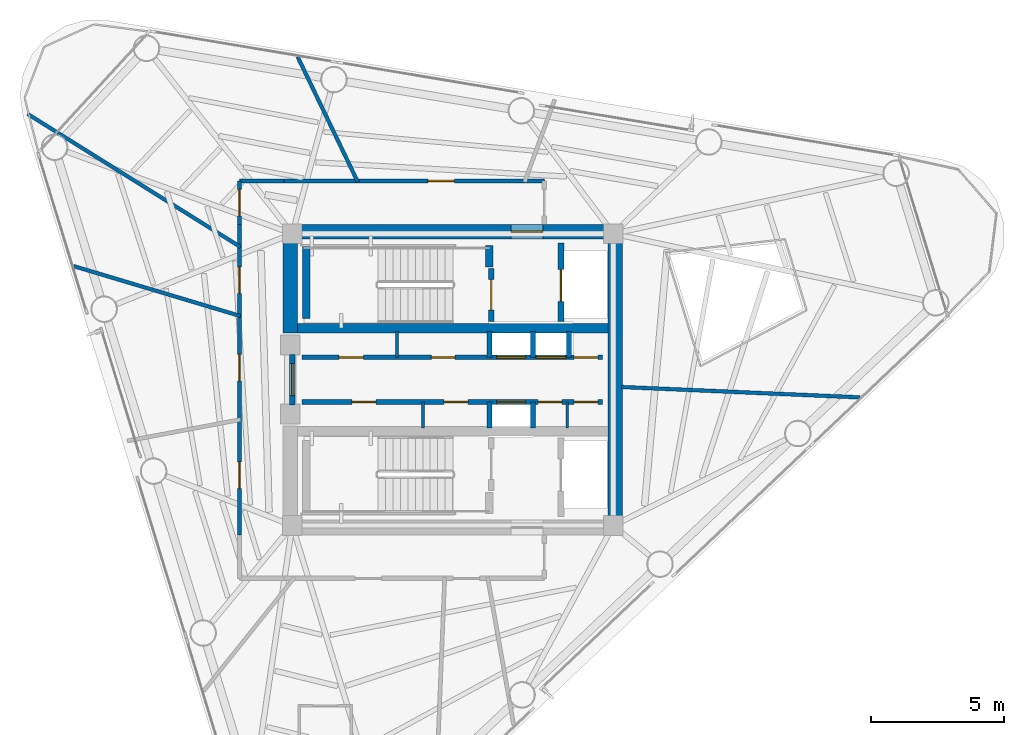
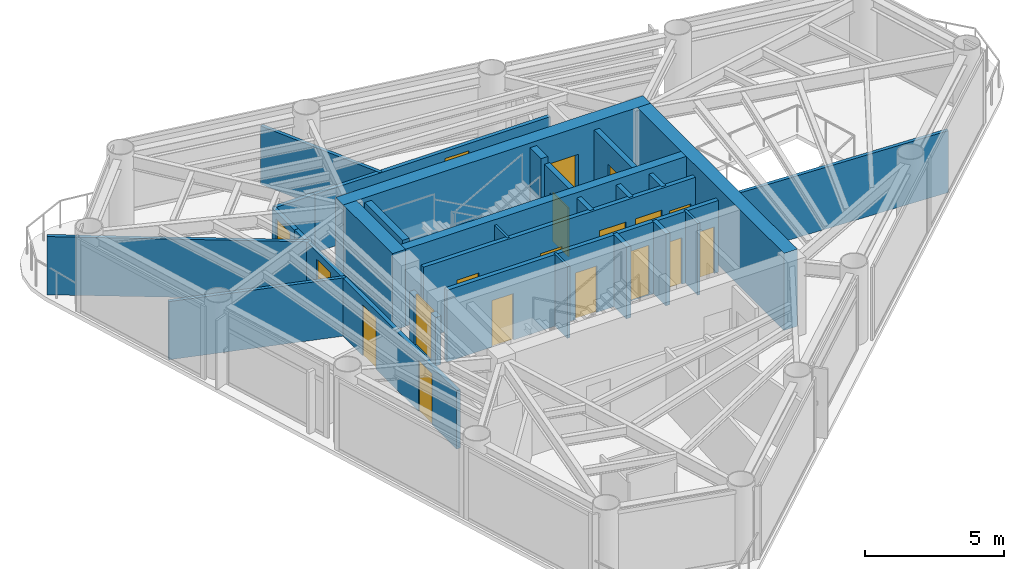
# One storey, part 6 of 9: 27 walls, 19 doors, 19 openings.
"""IFC4 building model written with IfcOpenShell, lengths in metres."""

from ifc_helpers import new_model, si_unit, direction, frame, frame_2d, origin, place, context, subcontext, project, spatial, rectangle, extrude, material, layer, layer_set, type_object, element, fill, save


model = new_model("IFC4")

# Units and contexts
model_context = context("Model", 3, precision=1e-05, world=origin(), true_north=direction((0.0, 1.0)))
body_context = subcontext(model_context, "Body", "Model", "MODEL_VIEW")
ifc_project = project(units=[si_unit("LENGTHUNIT", "METRE"), si_unit("AREAUNIT", "SQUARE_METRE"), si_unit("VOLUMEUNIT", "CUBIC_METRE"), si_unit("PLANEANGLEUNIT", "RADIAN"), si_unit("MASSUNIT", "GRAM", prefix="KILO")], contexts=[model_context])

# Site, building, storey
site_placement = place(None, origin())
site = spatial("IfcSite", under=ifc_project, at=site_placement, CompositionType="ELEMENT")
building_placement = place(site_placement, origin())
building = spatial("IfcBuilding", under=site, at=building_placement, Name="Yunling Apex Tower", CompositionType="ELEMENT")
storey_placement = place(building_placement, frame((0.0, 0.0, 249.050048828125)))
storey = spatial("IfcBuildingStorey", under=building, at=storey_placement, Name="L61", CompositionType="ELEMENT", Elevation=249.050048828125)

# Wall, opening, door
ifc_material_1 = material(Name="Concrete C40", Category="concrete")
ifc_layer_1 = layer(ifc_material_1, 0.550048828125)
ifc_layer_set_1 = layer_set([ifc_layer_1], Name="Concrete C40")
wall_type_1 = type_object("IfcWallType", Name="WL-COR-3", PredefinedType="SHEAR", material=ifc_layer_set_1)
wall_1_placement = place(storey_placement, frame((-6.39990234375, 5.574951171875, 0.0), z_axis=(0.0, 0.0, 1.0), x_axis=(1.0, 0.0, 0.0)))
wall_1 = element("IfcWall", 1, at=wall_1_placement, inside=storey, type_object=wall_type_1, Name="L61 North Core Shear Wall", PredefinedType="SHEAR", context=body_context, shape_type="SweptSolid", body=[
    extrude(rectangle(XDim=12.7998046875, YDim=0.550048828125, at=frame_2d((6.39990234375, 0.0))), origin(), (0.0, 0.0, 1.0), 3.39990234375),
])
opening_1_placement = place(wall_1_placement, frame((8.60009765625, 0.0, 0.0)))
opening_1 = element("IfcOpeningElement", 2, at=opening_1_placement, cuts=wall_1, Name="Opening DR-FFL-1", PredefinedType="OPENING", context=body_context, shape_type="SweptSolid", body=[
    extrude(rectangle(XDim=1.199951171875, YDim=2.199951171875, at=frame_2d((0.60009765625, 1.10009765625))), frame((0.0, 0.28515625, 0.0), z_axis=(0.0, -1.0, 0.0), x_axis=(1.0, 0.0, 0.0)), (0.0, 0.0, 1.0), 0.570068359375),
])
ifc_material_2 = material(Name="Steel Q355B", Category="steel")
door_type_1 = type_object("IfcDoorType", Name="DR-FFL-1", OperationType="NOTDEFINED", PredefinedType="DOOR", material=ifc_material_2)
door_1_placement = place(opening_1_placement, origin())
door_1 = element("IfcDoor", 3, at=door_1_placement, inside=storey, type_object=door_type_1, Name="L61 North Firefighting Lobby Door", OperationType="SINGLE_SWING_LEFT", OverallHeight=2.199951171875, OverallWidth=1.199951171875, PredefinedType="DOOR", context=body_context, shape_type="SweptSolid", body=[
    extrude(rectangle(XDim=1.199951171875, YDim=2.199951171875, at=frame_2d((0.60009765625, 1.10009765625))), frame((0.0, 0.02490234375, 0.0), z_axis=(0.0, -1.0, 0.0), x_axis=(1.0, 0.0, 0.0)), (0.0, 0.0, 1.0), 0.050048828125),
])
fill(opening_1, door_1)

# Walls
wall_2_placement = place(storey_placement, frame((6.125, -5.300048828125, 0.0), z_axis=(0.0, 0.0, 1.0), x_axis=(0.0, 1.0, 0.0)))
element("IfcWall", 4, at=wall_2_placement, inside=storey, type_object=wall_type_1, Name="L61 East Core Shear Wall", PredefinedType="SHEAR", context=body_context, shape_type="SweptSolid", body=[
    extrude(rectangle(XDim=10.60009765625, YDim=0.550048828125, at=frame_2d((5.300048828125, 0.0))), origin(), (0.0, 0.0, 1.0), 3.39990234375),
])
wall_3_placement = place(storey_placement, frame((-6.125, 1.75, 0.0), z_axis=(0.0, 0.0, 1.0), x_axis=(0.0, 1.0, 0.0)))
element("IfcWall", 5, at=wall_3_placement, inside=storey, type_object=wall_type_1, Name="L61 West-North Core Shear Wall", PredefinedType="SHEAR", context=body_context, shape_type="SweptSolid", body=[
    extrude(rectangle(XDim=3.550048828125, YDim=0.550048828125, at=frame_2d((1.77490234375, 0.0))), origin(), (0.0, 0.0, 1.0), 3.39990234375),
])
ifc_layer_2 = layer(ifc_material_1, 0.360107421875)
ifc_layer_set_2 = layer_set([ifc_layer_2], Name="Concrete C40")
wall_type_2 = type_object("IfcWallType", Name="WL-COR-4", PredefinedType="SHEAR", material=ifc_layer_set_2)
wall_4_placement = place(storey_placement, frame((-5.85009765625, 1.93994140625, 0.0), z_axis=(0.0, 0.0, 1.0), x_axis=(1.0, 0.0, 0.0)))
element("IfcWall", 6, at=wall_4_placement, inside=storey, type_object=wall_type_2, Name="L61 North Internal Core Shear Wall", PredefinedType="SHEAR", context=body_context, shape_type="SweptSolid", body=[
    extrude(rectangle(XDim=11.7001953125, YDim=0.360107421875, at=frame_2d((5.85009765625, 0.0))), origin(), (0.0, 0.0, 1.0), 3.39990234375),
])
ifc_layer_3 = layer(ifc_material_1, 0.280029296875)
ifc_layer_set_3 = layer_set([ifc_layer_3], Name="Concrete C40")
wall_type_3 = type_object("IfcWallType", Name="WL-COR-8", PredefinedType="SHEAR", material=ifc_layer_set_3)
wall_5_placement = place(storey_placement, frame((-5.52001953125, 2.300048828125, 0.0), z_axis=(0.0, 0.0, 1.0), x_axis=(0.0, 1.0, 0.0)))
element("IfcWall", 7, at=wall_5_placement, inside=storey, type_object=wall_type_3, Name="L61 ST-1 West Landing Bearing Wall", PredefinedType="SHEAR", context=body_context, shape_type="SweptSolid", body=[
    extrude(rectangle(XDim=2.75, YDim=0.280029296875, at=frame_2d((1.375, 0.0))), origin(), (0.0, 0.0, 1.0), 3.39990234375),
])
wall_6_placement = place(storey_placement, frame((1.3798828125, 4.25, 0.0), z_axis=(0.0, 0.0, 1.0), x_axis=(0.0, 1.0, 0.0)))
element("IfcWall", 8, at=wall_6_placement, inside=storey, type_object=wall_type_3, Name="L61 ST-1 East Landing Bearing Pier", PredefinedType="SHEAR", context=body_context, shape_type="SweptSolid", body=[
    extrude(rectangle(XDim=0.800048828125, YDim=0.280029296875, at=frame_2d((0.39990234375, 0.0))), origin(), (0.0, 0.0, 1.0), 3.39990234375),
])

# Wall, opening, door
ifc_material_3 = material(Name="Gypsum board acoustic partition")
ifc_layer_4 = layer(ifc_material_3, 0.159912109375)
ifc_layer_set_4 = layer_set([ifc_layer_4], Name="Gypsum board acoustic partition")
wall_type_4 = type_object("IfcWallType", Name="WL-PRT-1", PredefinedType="PARTITIONING", material=ifc_layer_set_4)
wall_7_placement = place(storey_placement, frame((-8.0400390625, 5.85009765625, 0.0), z_axis=(0.0, 0.0, 1.0), x_axis=(0.0, 1.0, 0.0)))
wall_7 = element("IfcWall", 9, at=wall_7_placement, inside=storey, type_object=wall_type_4, Name="WL-CORR-L61-01", PredefinedType="PARTITIONING", context=body_context, shape_type="SweptSolid", body=[
    extrude(rectangle(XDim=1.639892578125, YDim=0.159912109375, at=frame_2d((0.81982421875, 0.0))), origin(), (0.0, 0.0, 1.0), 2.56494140625),
])
opening_2_placement = place(wall_7_placement, frame((0.320068359375, 0.0, 0.0)))
opening_2 = element("IfcOpeningElement", 10, at=opening_2_placement, cuts=wall_7, Name="Opening DR-OFF-1", PredefinedType="OPENING", context=body_context, shape_type="SweptSolid", body=[
    extrude(rectangle(XDim=1.0, YDim=2.25, at=frame_2d((0.5, 1.125))), frame((0.0, 0.08984375, 0.0), z_axis=(0.0, -1.0, 0.0), x_axis=(1.0, 0.0, 0.0)), (0.0, 0.0, 1.0), 0.179931640625),
])
ifc_material_4 = material(Name="Bronze anodised aluminium", Category="aluminium")
door_type_2 = type_object("IfcDoorType", Name="DR-OFF-1", OperationType="NOTDEFINED", PredefinedType="DOOR", material=ifc_material_4)
door_2_placement = place(opening_2_placement, origin())
door_2 = element("IfcDoor", 11, at=door_2_placement, inside=storey, type_object=door_type_2, Name="L61 Residents Quiet Study Lounge Door", OperationType="SINGLE_SWING_RIGHT", OverallHeight=2.25, OverallWidth=1.0, PredefinedType="DOOR", context=body_context, shape_type="SweptSolid", body=[
    extrude(rectangle(XDim=1.0, YDim=2.25, at=frame_2d((0.5, 1.125))), frame((0.0, 0.02490234375, 0.0), z_axis=(0.0, -1.0, 0.0), x_axis=(1.0, 0.0, 0.0)), (0.0, 0.0, 1.0), 0.050048828125),
])
fill(opening_2, door_2)

# Wall
wall_8_placement = place(storey_placement, frame((-8.0400390625, 7.489990234375, 0.0), z_axis=(0.0, 0.0, 1.0), x_axis=(1.0, 0.0, 0.0)))
element("IfcWall", 12, at=wall_8_placement, inside=storey, type_object=wall_type_4, Name="WL-CORR-L61-02", PredefinedType="PARTITIONING", context=body_context, shape_type="SweptSolid", body=[
    extrude(rectangle(XDim=1.679931640625, YDim=0.159912109375, at=frame_2d((0.83984375, 0.0))), origin(), (0.0, 0.0, 1.0), 2.56494140625),
])

# Wall, opening, door
wall_9_placement = place(storey_placement, frame((-6.360107421875, 7.489990234375, 0.0), z_axis=(0.0, 0.0, 1.0), x_axis=(1.0, 0.0, 0.0)))
wall_9 = element("IfcWall", 13, at=wall_9_placement, inside=storey, type_object=wall_type_4, Name="WL-CORR-L61-03", PredefinedType="PARTITIONING", context=body_context, shape_type="SweptSolid", body=[
    extrude(rectangle(XDim=9.81005859375, YDim=0.159912109375, at=frame_2d((4.905029296875, 0.0))), origin(), (0.0, 0.0, 1.0), 2.56494140625),
])
opening_3_placement = place(wall_9_placement, frame((5.4189453125, 0.0, 0.0)))
opening_3 = element("IfcOpeningElement", 14, at=opening_3_placement, cuts=wall_9, Name="Opening DR-OFF-1", PredefinedType="OPENING", context=body_context, shape_type="SweptSolid", body=[
    extrude(rectangle(XDim=1.0, YDim=2.25, at=frame_2d((0.5, 1.125))), frame((0.0, 0.08984375, 0.0), z_axis=(0.0, -1.0, 0.0), x_axis=(1.0, 0.0, 0.0)), (0.0, 0.0, 1.0), 0.179931640625),
])
door_3_placement = place(opening_3_placement, origin())
door_3 = element("IfcDoor", 15, at=door_3_placement, inside=storey, type_object=door_type_2, Name="L61 Concierge Reception Foyer Door", OperationType="SINGLE_SWING_LEFT", OverallHeight=2.25, OverallWidth=1.0, PredefinedType="DOOR", context=body_context, shape_type="SweptSolid", body=[
    extrude(rectangle(XDim=1.0, YDim=2.25, at=frame_2d((0.5, 1.125))), frame((0.0, 0.02490234375, 0.0), z_axis=(0.0, -1.0, 0.0), x_axis=(1.0, 0.0, 0.0)), (0.0, 0.0, 1.0), 0.050048828125),
])
fill(opening_3, door_3)

# Wall, openings, doors
wall_10_placement = place(storey_placement, frame((-8.0400390625, -5.85009765625, 0.0), z_axis=(0.0, 0.0, 1.0), x_axis=(0.0, 1.0, 0.0)))
wall_10 = element("IfcWall", 16, at=wall_10_placement, inside=storey, type_object=wall_type_4, Name="WL-CORR-L61-09", PredefinedType="PARTITIONING", context=body_context, shape_type="SweptSolid", body=[
    extrude(rectangle(XDim=11.7001953125, YDim=0.159912109375, at=frame_2d((5.85009765625, 0.0))), origin(), (0.0, 0.0, 1.0), 2.56494140625),
])
opening_4_placement = place(wall_10_placement, frame((1.753662109375, 0.0, 0.0)))
opening_4 = element("IfcOpeningElement", 17, at=opening_4_placement, cuts=wall_10, Name="Opening DR-OFF-1", PredefinedType="OPENING", context=body_context, shape_type="SweptSolid", body=[
    extrude(rectangle(XDim=1.0, YDim=2.25, at=frame_2d((0.5, 1.125))), frame((0.0, 0.08984375, 0.0), z_axis=(0.0, -1.0, 0.0), x_axis=(1.0, 0.0, 0.0)), (0.0, 0.0, 1.0), 0.179931640625),
])
opening_5_placement = place(wall_10_placement, frame((5.7998046875, 0.0, 0.0)))
opening_5 = element("IfcOpeningElement", 18, at=opening_5_placement, cuts=wall_10, Name="Opening DR-OFF-1", PredefinedType="OPENING", context=body_context, shape_type="SweptSolid", body=[
    extrude(rectangle(XDim=1.0, YDim=2.25, at=frame_2d((0.5, 1.125))), frame((0.0, 0.08984375, 0.0), z_axis=(0.0, -1.0, 0.0), x_axis=(1.0, 0.0, 0.0)), (0.0, 0.0, 1.0), 0.179931640625),
])
opening_6_placement = place(wall_10_placement, frame((9.10302734375, 0.0, 0.0)))
opening_6 = element("IfcOpeningElement", 19, at=opening_6_placement, cuts=wall_10, Name="Opening DR-OFF-1", PredefinedType="OPENING", context=body_context, shape_type="SweptSolid", body=[
    extrude(rectangle(XDim=1.0, YDim=2.25, at=frame_2d((0.5, 1.125))), frame((0.0, 0.08984375, 0.0), z_axis=(0.0, -1.0, 0.0), x_axis=(1.0, 0.0, 0.0)), (0.0, 0.0, 1.0), 0.179931640625),
])
door_4_placement = place(opening_4_placement, origin())
door_4 = element("IfcDoor", 20, at=door_4_placement, inside=storey, type_object=door_type_2, Name="L61 Residents Quiet Study Lounge Door", OperationType="SINGLE_SWING_RIGHT", OverallHeight=2.25, OverallWidth=1.0, PredefinedType="DOOR", context=body_context, shape_type="SweptSolid", body=[
    extrude(rectangle(XDim=1.0, YDim=2.25, at=frame_2d((0.5, 1.125))), frame((0.0, 0.02490234375, 0.0), z_axis=(0.0, -1.0, 0.0), x_axis=(1.0, 0.0, 0.0)), (0.0, 0.0, 1.0), 0.050048828125),
])
fill(opening_4, door_4)
door_5_placement = place(opening_5_placement, origin())
door_5 = element("IfcDoor", 21, at=door_5_placement, inside=storey, type_object=door_type_2, Name="L61 Residents Quiet Study Lounge Door", OperationType="SINGLE_SWING_LEFT", OverallHeight=2.25, OverallWidth=1.0, PredefinedType="DOOR", context=body_context, shape_type="SweptSolid", body=[
    extrude(rectangle(XDim=1.0, YDim=2.25, at=frame_2d((0.5, 1.125))), frame((0.0, 0.02490234375, 0.0), z_axis=(0.0, -1.0, 0.0), x_axis=(1.0, 0.0, 0.0)), (0.0, 0.0, 1.0), 0.050048828125),
])
fill(opening_5, door_5)
door_6_placement = place(opening_6_placement, origin())
door_6 = element("IfcDoor", 22, at=door_6_placement, inside=storey, type_object=door_type_2, Name="L61 Concierge Reception Foyer Door", OperationType="SINGLE_SWING_RIGHT", OverallHeight=2.25, OverallWidth=1.0, PredefinedType="DOOR", context=body_context, shape_type="SweptSolid", body=[
    extrude(rectangle(XDim=1.0, YDim=2.25, at=frame_2d((0.5, 1.125))), frame((0.0, 0.02490234375, 0.0), z_axis=(0.0, -1.0, 0.0), x_axis=(1.0, 0.0, 0.0)), (0.0, 0.0, 1.0), 0.050048828125),
])
fill(opening_6, door_6)

# Walls
ifc_layer_5 = layer(ifc_material_3, 0.139892578125)
ifc_layer_set_5 = layer_set([ifc_layer_5], Name="Gypsum board acoustic partition")
wall_type_5 = type_object("IfcWallType", Name="WL-PRT-2", PredefinedType="PARTITIONING", material=ifc_layer_set_5)
wall_11_placement = place(storey_placement, frame((6.360107421875, -0.277587890625, 0.0), z_axis=(0.0, 0.0, 1.0), x_axis=(0.99904773846, -0.043630451279, 0.0)))
element("IfcWall", 23, at=wall_11_placement, inside=storey, type_object=wall_type_5, Name="WL-RAD-L61-01", PredefinedType="PARTITIONING", context=body_context, shape_type="SweptSolid", body=[
    extrude(rectangle(XDim=8.9921875, YDim=0.139892578125, at=frame_2d((4.49609375, 0.0))), origin(), (0.0, 0.0, 1.0), 2.724853515625),
])
wall_12_placement = place(storey_placement, frame((-3.580078125, 7.449951171875, 0.0), z_axis=(0.0, 0.0, 1.0), x_axis=(-0.433107149182, 0.901342441765, 0.0)))
element("IfcWall", 24, at=wall_12_placement, inside=storey, type_object=wall_type_5, Name="WL-RAD-L61-03", PredefinedType="PARTITIONING", context=body_context, shape_type="SweptSolid", body=[
    extrude(rectangle(XDim=5.2333984375, YDim=0.139892578125, at=frame_2d((2.61669921875, 0.0))), origin(), (0.0, 0.0, 1.0), 2.56494140625),
])
wall_13_placement = place(storey_placement, frame((-8.0, 4.9990234375, 0.0), z_axis=(0.0, 0.0, 1.0), x_axis=(-0.848044679887, 0.529924731369, 0.0)))
element("IfcWall", 25, at=wall_13_placement, inside=storey, type_object=wall_type_5, Name="WL-RAD-L61-04", PredefinedType="PARTITIONING", context=body_context, shape_type="SweptSolid", body=[
    extrude(rectangle(XDim=9.46337890625, YDim=0.139892578125, at=frame_2d((4.731689453125, 0.0))), origin(), (0.0, 0.0, 1.0), 2.56494140625),
])
wall_14_placement = place(storey_placement, frame((-8.0, 2.39501953125, 0.0), z_axis=(0.0, 0.0, 1.0), x_axis=(-0.957987942155, 0.286808477361, 0.0)))
element("IfcWall", 26, at=wall_14_placement, inside=storey, type_object=wall_type_5, Name="WL-RAD-L61-05", PredefinedType="PARTITIONING", context=body_context, shape_type="SweptSolid", body=[
    extrude(rectangle(XDim=6.561279296875, YDim=0.139892578125, at=frame_2d((3.28076171875, 0.0))), origin(), (0.0, 0.0, 1.0), 2.56494140625),
])
ifc_layer_6 = layer(ifc_material_3, 0.10009765625)
ifc_layer_set_6 = layer_set([ifc_layer_6], Name="Gypsum board acoustic partition")
wall_type_6 = type_object("IfcWallType", Name="WL-PRT-4", PredefinedType="PARTITIONING", material=ifc_layer_set_6)
for number, where, z_axis, x_axis, name in (
    (27, (-2.10009765625, 0.840087890625, 0.0), (0.0, 0.0, 1.0), (0.0, 1.0, 0.0), "WL-RECLMC-N-L61"),
    (28, (-1.1201171875, -1.820068359375, 0.0), (0.0, 0.0, 1.0), (0.0, 1.0, 0.0), "WL-RECLMC-S-L61"),
    (29, (4.31005859375, -1.820068359375, 0.0), (0.0, 0.0, 1.0), (0.0, 1.0, 0.0), "WL-KCDIV-L61"),
):
    element("IfcWall", number, at=place(storey_placement, frame(where, z_axis=z_axis, x_axis=x_axis)), inside=storey, type_object=wall_type_6, Name=name, PredefinedType="PARTITIONING", context=body_context, shape_type="SweptSolid", body=[
        extrude(rectangle(XDim=0.97998046875, YDim=0.10009765625, at=frame_2d((0.489990234375, 0.0))), origin(), (0.0, 0.0, 1.0), 3.159912109375),
    ])

# Wall, opening, door
ifc_material_5 = material(Name="Autoclaved aerated concrete masonry", Category="masonry")
ifc_layer_7 = layer(ifc_material_5, 0.219970703125)
ifc_layer_set_7 = layer_set([ifc_layer_7], Name="Autoclaved aerated concrete masonry")
wall_type_7 = type_object("IfcWallType", Name="WL-SHF-1", PredefinedType="PLUMBINGWALL", material=ifc_layer_set_7)
wall_15_placement = place(storey_placement, frame((-6.050048828125, -0.949951171875, 0.0), z_axis=(0.0, 0.0, 1.0), x_axis=(0.0, 1.0, 0.0)))
wall_15 = element("IfcWall", 30, at=wall_15_placement, inside=storey, type_object=wall_type_7, Name="WL-COR-WPORT-L61", PredefinedType="PLUMBINGWALL", context=body_context, shape_type="SweptSolid", body=[
    extrude(rectangle(XDim=1.89990234375, YDim=0.219970703125, at=frame_2d((0.949951171875, 0.0))), origin(), (0.0, 0.0, 1.0), 2.139892578125),
])
opening_7_placement = place(wall_15_placement, frame((0.35009765625, 0.0, 0.0)))
opening_7 = element("IfcOpeningElement", 31, at=opening_7_placement, cuts=wall_15, Name="Opening DR-FFL-1", PredefinedType="OPENING", context=body_context, shape_type="SweptSolid", body=[
    extrude(rectangle(XDim=1.199951171875, YDim=2.199951171875, at=frame_2d((0.60009765625, 1.10009765625))), frame((0.0, 0.1201171875, 0.0), z_axis=(0.0, -1.0, 0.0), x_axis=(1.0, 0.0, 0.0)), (0.0, 0.0, 1.0), 0.239990234375),
])
door_7_placement = place(opening_7_placement, origin())
door_7 = element("IfcDoor", 32, at=door_7_placement, inside=storey, type_object=door_type_1, Name="L61 Passenger Lift Lobby Entrance Door", OperationType="SINGLE_SWING_LEFT", OverallHeight=2.199951171875, OverallWidth=1.199951171875, PredefinedType="DOOR", context=body_context, shape_type="SweptSolid", body=[
    extrude(rectangle(XDim=1.199951171875, YDim=2.199951171875, at=frame_2d((0.60009765625, 1.10009765625))), frame((0.0, 0.02490234375, 0.0), z_axis=(0.0, -1.0, 0.0), x_axis=(1.0, 0.0, 0.0)), (0.0, 0.0, 1.0), 0.050048828125),
])
fill(opening_7, door_7)

wall_16_placement = place(storey_placement, frame((1.449951171875, 2.199951171875, 0.0), z_axis=(0.0, 0.0, 1.0), x_axis=(0.0, 1.0, 0.0)))
wall_16 = element("IfcWall", 33, at=wall_16_placement, inside=storey, type_object=wall_type_7, Name="WL-ST1-E-L61", PredefinedType="PLUMBINGWALL", context=body_context, shape_type="SweptSolid", body=[
    extrude(rectangle(XDim=1.97998046875, YDim=0.219970703125, at=frame_2d((0.989990234375, 0.0))), origin(), (0.0, 0.0, 1.0), 3.159912109375),
])
opening_8_placement = place(wall_16_placement, frame((0.419921875, 0.0, 0.0)))
opening_8 = element("IfcOpeningElement", 34, at=opening_8_placement, cuts=wall_16, Name="Opening DR-ST-1", PredefinedType="OPENING", context=body_context, shape_type="SweptSolid", body=[
    extrude(rectangle(XDim=1.14990234375, YDim=2.14990234375, at=frame_2d((0.574951171875, 1.074951171875))), frame((0.0, 0.1201171875, 0.0), z_axis=(0.0, -1.0, 0.0), x_axis=(1.0, 0.0, 0.0)), (0.0, 0.0, 1.0), 0.239990234375),
])
door_type_3 = type_object("IfcDoorType", Name="DR-ST-1", OperationType="NOTDEFINED", PredefinedType="DOOR", material=ifc_material_2)
door_8_placement = place(opening_8_placement, origin())
door_8 = element("IfcDoor", 35, at=door_8_placement, inside=storey, type_object=door_type_3, Name="L61 Stair ST-1 Fire Door", OperationType="SINGLE_SWING_RIGHT", OverallHeight=2.14990234375, OverallWidth=1.14990234375, PredefinedType="DOOR", context=body_context, shape_type="SweptSolid", body=[
    extrude(rectangle(XDim=1.14990234375, YDim=2.14990234375, at=frame_2d((0.574951171875, 1.074951171875))), frame((0.0, 0.02490234375, 0.0), z_axis=(0.0, -1.0, 0.0), x_axis=(1.0, 0.0, 0.0)), (0.0, 0.0, 1.0), 0.050048828125),
])
fill(opening_8, door_8)

wall_17_placement = place(storey_placement, frame((4.080078125, 2.199951171875, 0.0), z_axis=(0.0, 0.0, 1.0), x_axis=(0.0, 1.0, 0.0)))
wall_17 = element("IfcWall", 36, at=wall_17_placement, inside=storey, type_object=wall_type_7, Name="WL-FFL1-W-L61", PredefinedType="PLUMBINGWALL", context=body_context, shape_type="SweptSolid", body=[
    extrude(rectangle(XDim=2.949951171875, YDim=0.219970703125, at=frame_2d((1.47509765625, 0.0))), origin(), (0.0, 0.0, 1.0), 3.159912109375),
])
opening_9_placement = place(wall_17_placement, frame((0.75, 0.0, 0.0)))
opening_9 = element("IfcOpeningElement", 37, at=opening_9_placement, cuts=wall_17, Name="Opening LD-FFL-1", PredefinedType="OPENING", context=body_context, shape_type="SweptSolid", body=[
    extrude(rectangle(XDim=1.199951171875, YDim=2.25, at=frame_2d((0.60009765625, 1.125))), frame((0.0, 0.1201171875, 0.0), z_axis=(0.0, -1.0, 0.0), x_axis=(1.0, 0.0, 0.0)), (0.0, 0.0, 1.0), 0.239990234375),
])
door_type_4 = type_object("IfcDoorType", Name="LD-FFL-1", OperationType="DOUBLE_DOOR_SLIDING", PredefinedType="DOOR", material=ifc_material_2)
door_9_placement = place(opening_9_placement, origin())
door_9 = element("IfcDoor", 38, at=door_9_placement, inside=storey, type_object=door_type_4, Name="L61 Lift FFL-1 Landing Door", OperationType="DOUBLE_DOOR_SLIDING", OverallHeight=2.25, OverallWidth=1.199951171875, PredefinedType="DOOR", context=body_context, shape_type="SweptSolid", body=[
    extrude(rectangle(XDim=1.199951171875, YDim=2.25, at=frame_2d((0.60009765625, 1.125))), frame((0.0, 0.02490234375, 0.0), z_axis=(0.0, -1.0, 0.0), x_axis=(1.0, 0.0, 0.0)), (0.0, 0.0, 1.0), 0.050048828125),
])
fill(opening_9, door_9)

# Walls
ifc_layer_8 = layer(ifc_material_5, 0.179931640625)
ifc_layer_set_8 = layer_set([ifc_layer_8], Name="Autoclaved aerated concrete masonry")
wall_type_8 = type_object("IfcWallType", Name="WL-SHF-2", PredefinedType="PLUMBINGWALL", material=ifc_layer_set_8)
for number, where, z_axis, x_axis, name in (
    (39, (1.3798828125, 0.840087890625, 0.0), (0.0, 0.0, 1.0), (0.0, 1.0, 0.0), "WL-BNK-MH-N-L61"),
    (40, (1.3798828125, -1.820068359375, 0.0), (0.0, 0.0, 1.0), (0.0, 1.0, 0.0), "WL-BNK-MH-S-L61"),
    (41, (3.02001953125, 0.840087890625, 0.0), (0.0, 0.0, 1.0), (0.0, 1.0, 0.0), "WL-DIV-H13-L61"),
    (42, (4.3798828125, 0.840087890625, 0.0), (0.0, 0.0, 1.0), (0.0, 1.0, 0.0), "WL-END-H3E-L61"),
    (43, (3.02001953125, -1.820068359375, 0.0), (0.0, 0.0, 1.0), (0.0, 1.0, 0.0), "WL-END-H2E-L61"),
):
    element("IfcWall", number, at=place(storey_placement, frame(where, z_axis=z_axis, x_axis=x_axis)), inside=storey, type_object=wall_type_8, Name=name, PredefinedType="PLUMBINGWALL", context=body_context, shape_type="SweptSolid", body=[
        extrude(rectangle(XDim=0.97998046875, YDim=0.179931640625, at=frame_2d((0.489990234375, 0.0))), origin(), (0.0, 0.0, 1.0), 3.159912109375),
    ])

# Wall, openings, doors
wall_18_placement = place(storey_placement, frame((-5.679931640625, 0.840087890625, 0.0), z_axis=(0.0, 0.0, 1.0), x_axis=(1.0, 0.0, 0.0)))
wall_18 = element("IfcWall", 44, at=wall_18_placement, inside=storey, type_object=wall_type_8, Name="WL-LOB-N-L61", PredefinedType="PLUMBINGWALL", context=body_context, shape_type="SweptSolid", body=[
    extrude(rectangle(XDim=11.329833984375, YDim=0.179931640625, at=frame_2d((5.6650390625, 0.0))), origin(), (0.0, 0.0, 1.0), 3.159912109375),
])
opening_10_placement = place(wall_18_placement, frame((1.389892578125, 0.0, 0.0)))
opening_10 = element("IfcOpeningElement", 45, at=opening_10_placement, cuts=wall_18, Name="Opening DR-WC-1", PredefinedType="OPENING", context=body_context, shape_type="SweptSolid", body=[
    extrude(rectangle(XDim=0.919921875, YDim=2.10009765625, at=frame_2d((0.4599609375, 1.050048828125))), frame((0.0, 0.10009765625, 0.0), z_axis=(0.0, -1.0, 0.0), x_axis=(1.0, 0.0, 0.0)), (0.0, 0.0, 1.0), 0.199951171875),
])
opening_11_placement = place(wall_18_placement, frame((4.8701171875, 0.0, 0.0)))
opening_11 = element("IfcOpeningElement", 46, at=opening_11_placement, cuts=wall_18, Name="Opening DR-SHF-1", PredefinedType="OPENING", context=body_context, shape_type="SweptSolid", body=[
    extrude(rectangle(XDim=0.89990234375, YDim=2.050048828125, at=frame_2d((0.449951171875, 1.02490234375))), frame((0.0, 0.10009765625, 0.0), z_axis=(0.0, -1.0, 0.0), x_axis=(1.0, 0.0, 0.0)), (0.0, 0.0, 1.0), 0.199951171875),
])
opening_12_placement = place(wall_18_placement, frame((7.330078125, 0.0, 0.0)))
opening_12 = element("IfcOpeningElement", 47, at=opening_12_placement, cuts=wall_18, Name="Opening LD-PAS-1", PredefinedType="OPENING", context=body_context, shape_type="SweptSolid", body=[
    extrude(rectangle(XDim=1.10009765625, YDim=2.199951171875, at=frame_2d((0.550048828125, 1.10009765625))), frame((0.0, 0.10009765625, 0.0), z_axis=(0.0, -1.0, 0.0), x_axis=(1.0, 0.0, 0.0)), (0.0, 0.0, 1.0), 0.199951171875),
])
opening_13_placement = place(wall_18_placement, frame((8.830078125, 0.0, 0.0)))
opening_13 = element("IfcOpeningElement", 48, at=opening_13_placement, cuts=wall_18, Name="Opening LD-PAS-1", PredefinedType="OPENING", context=body_context, shape_type="SweptSolid", body=[
    extrude(rectangle(XDim=1.10009765625, YDim=2.199951171875, at=frame_2d((0.550048828125, 1.10009765625))), frame((0.0, 0.10009765625, 0.0), z_axis=(0.0, -1.0, 0.0), x_axis=(1.0, 0.0, 0.0)), (0.0, 0.0, 1.0), 0.199951171875),
])
opening_14_placement = place(wall_18_placement, frame((10.25, 0.0, 0.0)))
opening_14 = element("IfcOpeningElement", 49, at=opening_14_placement, cuts=wall_18, Name="Opening DR-SHF-1", PredefinedType="OPENING", context=body_context, shape_type="SweptSolid", body=[
    extrude(rectangle(XDim=0.89990234375, YDim=2.050048828125, at=frame_2d((0.449951171875, 1.02490234375))), frame((0.0, 0.10009765625, 0.0), z_axis=(0.0, -1.0, 0.0), x_axis=(1.0, 0.0, 0.0)), (0.0, 0.0, 1.0), 0.199951171875),
])
door_type_5 = type_object("IfcDoorType", Name="DR-SHF-1", OperationType="NOTDEFINED", PredefinedType="DOOR", material=ifc_material_2)
door_10_placement = place(opening_11_placement, origin())
door_10 = element("IfcDoor", 50, at=door_10_placement, inside=storey, type_object=door_type_5, Name="L61 Electrical Plant Door", OperationType="SINGLE_SWING_LEFT", OverallHeight=2.050048828125, OverallWidth=0.89990234375, PredefinedType="DOOR", context=body_context, shape_type="SweptSolid", body=[
    extrude(rectangle(XDim=0.89990234375, YDim=2.050048828125, at=frame_2d((0.449951171875, 1.02490234375))), frame((0.0, 0.02490234375, 0.0), z_axis=(0.0, -1.0, 0.0), x_axis=(1.0, 0.0, 0.0)), (0.0, 0.0, 1.0), 0.050048828125),
])
fill(opening_11, door_10)
door_11_placement = place(opening_14_placement, origin())
door_11 = element("IfcDoor", 51, at=door_11_placement, inside=storey, type_object=door_type_5, Name="L61 Floor Supply Store Door", OperationType="SINGLE_SWING_RIGHT", OverallHeight=2.050048828125, OverallWidth=0.89990234375, PredefinedType="DOOR", context=body_context, shape_type="SweptSolid", body=[
    extrude(rectangle(XDim=0.89990234375, YDim=2.050048828125, at=frame_2d((0.449951171875, 1.02490234375))), frame((0.0, 0.02490234375, 0.0), z_axis=(0.0, -1.0, 0.0), x_axis=(1.0, 0.0, 0.0)), (0.0, 0.0, 1.0), 0.050048828125),
])
fill(opening_14, door_11)
ifc_material_6 = material(Name="Timber moisture-resistant leaf", Category="wood")
door_type_6 = type_object("IfcDoorType", Name="DR-WC-1", OperationType="NOTDEFINED", PredefinedType="DOOR", material=ifc_material_6)
door_12_placement = place(opening_10_placement, origin())
door_12 = element("IfcDoor", 52, at=door_12_placement, inside=storey, type_object=door_type_6, Name="L61 Staff WC Door", OperationType="SINGLE_SWING_RIGHT", OverallHeight=2.10009765625, OverallWidth=0.919921875, PredefinedType="DOOR", context=body_context, shape_type="SweptSolid", body=[
    extrude(rectangle(XDim=0.919921875, YDim=2.10009765625, at=frame_2d((0.4599609375, 1.050048828125))), frame((0.0, 0.02490234375, 0.0), z_axis=(0.0, -1.0, 0.0), x_axis=(1.0, 0.0, 0.0)), (0.0, 0.0, 1.0), 0.050048828125),
])
fill(opening_10, door_12)
ifc_material_7 = material(Name="Silver anodised aluminium", Category="aluminium")
door_type_7 = type_object("IfcDoorType", Name="LD-PAS-1", OperationType="DOUBLE_DOOR_SLIDING", PredefinedType="DOOR", material=ifc_material_7)
door_13_placement = place(opening_12_placement, origin())
door_13 = element("IfcDoor", 53, at=door_13_placement, inside=storey, type_object=door_type_7, Name="L61 Lift PL-H1 Landing Door", OperationType="DOUBLE_DOOR_SLIDING", OverallHeight=2.199951171875, OverallWidth=1.10009765625, PredefinedType="DOOR", context=body_context, shape_type="SweptSolid", body=[
    extrude(rectangle(XDim=1.10009765625, YDim=2.199951171875, at=frame_2d((0.550048828125, 1.10009765625))), frame((0.0, 0.02490234375, 0.0), z_axis=(0.0, -1.0, 0.0), x_axis=(1.0, 0.0, 0.0)), (0.0, 0.0, 1.0), 0.050048828125),
])
fill(opening_12, door_13)
door_14_placement = place(opening_13_placement, origin())
door_14 = element("IfcDoor", 54, at=door_14_placement, inside=storey, type_object=door_type_7, Name="L61 Lift PL-H3 Landing Door", OperationType="DOUBLE_DOOR_SLIDING", OverallHeight=2.199951171875, OverallWidth=1.10009765625, PredefinedType="DOOR", context=body_context, shape_type="SweptSolid", body=[
    extrude(rectangle(XDim=1.10009765625, YDim=2.199951171875, at=frame_2d((0.550048828125, 1.10009765625))), frame((0.0, 0.02490234375, 0.0), z_axis=(0.0, -1.0, 0.0), x_axis=(1.0, 0.0, 0.0)), (0.0, 0.0, 1.0), 0.050048828125),
])
fill(opening_13, door_14)

wall_19_placement = place(storey_placement, frame((-5.679931640625, -0.840087890625, 0.0), z_axis=(0.0, 0.0, 1.0), x_axis=(1.0, 0.0, 0.0)))
wall_19 = element("IfcWall", 55, at=wall_19_placement, inside=storey, type_object=wall_type_8, Name="WL-LOB-S-L61", PredefinedType="PLUMBINGWALL", context=body_context, shape_type="SweptSolid", body=[
    extrude(rectangle(XDim=11.329833984375, YDim=0.179931640625, at=frame_2d((5.6650390625, 0.0))), origin(), (0.0, 0.0, 1.0), 3.159912109375),
])
opening_15_placement = place(wall_19_placement, frame((1.8798828125, 0.0, 0.0)))
opening_15 = element("IfcOpeningElement", 56, at=opening_15_placement, cuts=wall_19, Name="Opening DR-SHF-1", PredefinedType="OPENING", context=body_context, shape_type="SweptSolid", body=[
    extrude(rectangle(XDim=0.89990234375, YDim=2.050048828125, at=frame_2d((0.449951171875, 1.02490234375))), frame((0.0, 0.10009765625, 0.0), z_axis=(0.0, -1.0, 0.0), x_axis=(1.0, 0.0, 0.0)), (0.0, 0.0, 1.0), 0.199951171875),
])
opening_16_placement = place(wall_19_placement, frame((5.35009765625, 0.0, 0.0)))
opening_16 = element("IfcOpeningElement", 57, at=opening_16_placement, cuts=wall_19, Name="Opening DR-SHF-1", PredefinedType="OPENING", context=body_context, shape_type="SweptSolid", body=[
    extrude(rectangle(XDim=0.89990234375, YDim=2.050048828125, at=frame_2d((0.449951171875, 1.02490234375))), frame((0.0, 0.10009765625, 0.0), z_axis=(0.0, -1.0, 0.0), x_axis=(1.0, 0.0, 0.0)), (0.0, 0.0, 1.0), 0.199951171875),
])
opening_17_placement = place(wall_19_placement, frame((7.330078125, 0.0, 0.0)))
opening_17 = element("IfcOpeningElement", 58, at=opening_17_placement, cuts=wall_19, Name="Opening LD-PAS-1", PredefinedType="OPENING", context=body_context, shape_type="SweptSolid", body=[
    extrude(rectangle(XDim=1.10009765625, YDim=2.199951171875, at=frame_2d((0.550048828125, 1.10009765625))), frame((0.0, 0.10009765625, 0.0), z_axis=(0.0, -1.0, 0.0), x_axis=(1.0, 0.0, 0.0)), (0.0, 0.0, 1.0), 0.199951171875),
])
opening_18_placement = place(wall_19_placement, frame((8.89990234375, 0.0, 0.0)))
opening_18 = element("IfcOpeningElement", 59, at=opening_18_placement, cuts=wall_19, Name="Opening DR-SHF-1", PredefinedType="OPENING", context=body_context, shape_type="SweptSolid", body=[
    extrude(rectangle(XDim=0.89990234375, YDim=2.050048828125, at=frame_2d((0.449951171875, 1.02490234375))), frame((0.0, 0.10009765625, 0.0), z_axis=(0.0, -1.0, 0.0), x_axis=(1.0, 0.0, 0.0)), (0.0, 0.0, 1.0), 0.199951171875),
])
opening_19_placement = place(wall_19_placement, frame((10.25, 0.0, 0.0)))
opening_19 = element("IfcOpeningElement", 60, at=opening_19_placement, cuts=wall_19, Name="Opening DR-SHF-1", PredefinedType="OPENING", context=body_context, shape_type="SweptSolid", body=[
    extrude(rectangle(XDim=0.89990234375, YDim=2.050048828125, at=frame_2d((0.449951171875, 1.02490234375))), frame((0.0, 0.10009765625, 0.0), z_axis=(0.0, -1.0, 0.0), x_axis=(1.0, 0.0, 0.0)), (0.0, 0.0, 1.0), 0.199951171875),
])
door_15_placement = place(opening_15_placement, origin())
door_15 = element("IfcDoor", 61, at=door_15_placement, inside=storey, type_object=door_type_5, Name="L61 Luggage Store Door", OperationType="SINGLE_SWING_LEFT", OverallHeight=2.050048828125, OverallWidth=0.89990234375, PredefinedType="DOOR", context=body_context, shape_type="SweptSolid", body=[
    extrude(rectangle(XDim=0.89990234375, YDim=2.050048828125, at=frame_2d((0.449951171875, 1.02490234375))), frame((0.0, 0.02490234375, 0.0), z_axis=(0.0, -1.0, 0.0), x_axis=(1.0, 0.0, 0.0)), (0.0, 0.0, 1.0), 0.050048828125),
])
fill(opening_15, door_15)
door_16_placement = place(opening_16_placement, origin())
door_16 = element("IfcDoor", 62, at=door_16_placement, inside=storey, type_object=door_type_5, Name="L61 Booster Plant Door", OperationType="SINGLE_SWING_RIGHT", OverallHeight=2.050048828125, OverallWidth=0.89990234375, PredefinedType="DOOR", context=body_context, shape_type="SweptSolid", body=[
    extrude(rectangle(XDim=0.89990234375, YDim=2.050048828125, at=frame_2d((0.449951171875, 1.02490234375))), frame((0.0, 0.02490234375, 0.0), z_axis=(0.0, -1.0, 0.0), x_axis=(1.0, 0.0, 0.0)), (0.0, 0.0, 1.0), 0.050048828125),
])
fill(opening_16, door_16)
door_17_placement = place(opening_18_placement, origin())
door_17 = element("IfcDoor", 63, at=door_17_placement, inside=storey, type_object=door_type_5, Name="L61 LV Closet Door", OperationType="SINGLE_SWING_LEFT", OverallHeight=2.050048828125, OverallWidth=0.89990234375, PredefinedType="DOOR", context=body_context, shape_type="SweptSolid", body=[
    extrude(rectangle(XDim=0.89990234375, YDim=2.050048828125, at=frame_2d((0.449951171875, 1.02490234375))), frame((0.0, 0.02490234375, 0.0), z_axis=(0.0, -1.0, 0.0), x_axis=(1.0, 0.0, 0.0)), (0.0, 0.0, 1.0), 0.050048828125),
])
fill(opening_18, door_17)
door_18_placement = place(opening_19_placement, origin())
door_18 = element("IfcDoor", 64, at=door_18_placement, inside=storey, type_object=door_type_5, Name="L61 Standpipe Closet Door", OperationType="SINGLE_SWING_RIGHT", OverallHeight=2.050048828125, OverallWidth=0.89990234375, PredefinedType="DOOR", context=body_context, shape_type="SweptSolid", body=[
    extrude(rectangle(XDim=0.89990234375, YDim=2.050048828125, at=frame_2d((0.449951171875, 1.02490234375))), frame((0.0, 0.02490234375, 0.0), z_axis=(0.0, -1.0, 0.0), x_axis=(1.0, 0.0, 0.0)), (0.0, 0.0, 1.0), 0.050048828125),
])
fill(opening_19, door_18)
door_19_placement = place(opening_17_placement, origin())
door_19 = element("IfcDoor", 65, at=door_19_placement, inside=storey, type_object=door_type_7, Name="L61 Lift PL-H2 Landing Door", OperationType="DOUBLE_DOOR_SLIDING", OverallHeight=2.199951171875, OverallWidth=1.10009765625, PredefinedType="DOOR", context=body_context, shape_type="SweptSolid", body=[
    extrude(rectangle(XDim=1.10009765625, YDim=2.199951171875, at=frame_2d((0.550048828125, 1.10009765625))), frame((0.0, 0.02490234375, 0.0), z_axis=(0.0, -1.0, 0.0), x_axis=(1.0, 0.0, 0.0)), (0.0, 0.0, 1.0), 0.050048828125),
])
fill(opening_17, door_19)

save(model, "model.ifc")
